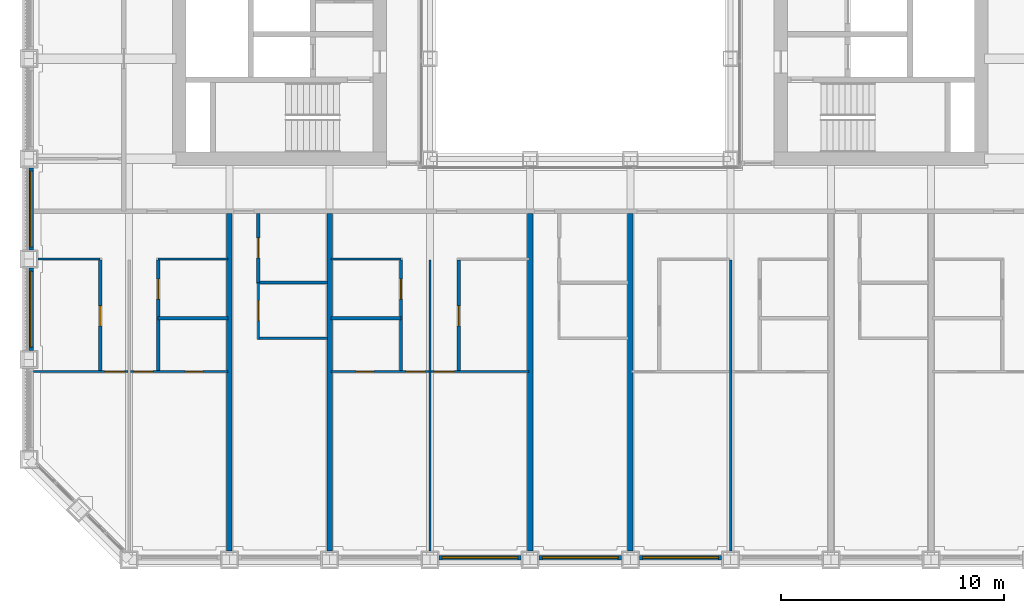
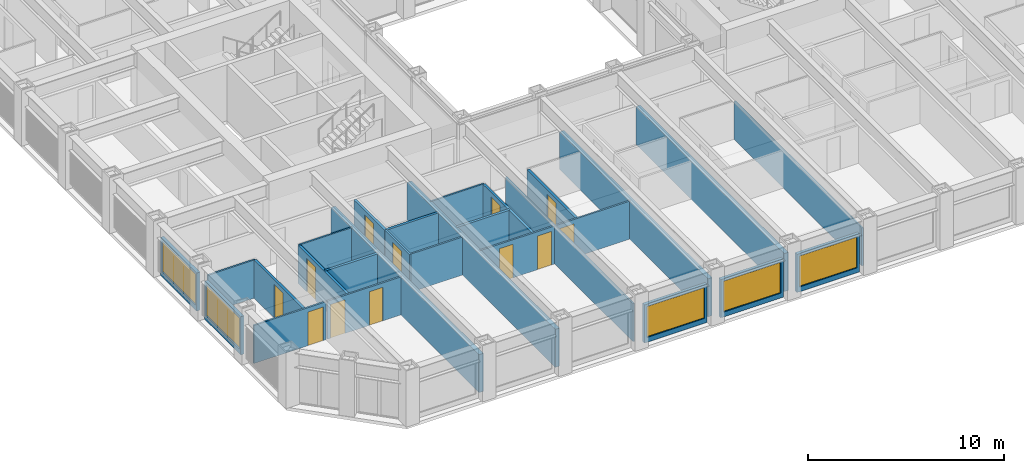
# One storey, part 9 of 21: 28 walls, 12 doors, 5 windows, 17 openings.
"""IFC4 building model written with IfcOpenShell, lengths in metres."""

from ifc_helpers import new_model, si_unit, direction, frame, frame_2d, origin, place, context, subcontext, project, spatial, rectangle, extrude, material, layer, layer_set, type_object, element, fill, save


model = new_model("IFC4")

# Units and contexts
model_context = context("Model", 3, precision=1e-05, world=origin(), true_north=direction((0.0, 1.0)))
body_context = subcontext(model_context, "Body", "Model", "MODEL_VIEW")
ifc_project = project(units=[si_unit("LENGTHUNIT", "METRE"), si_unit("AREAUNIT", "SQUARE_METRE"), si_unit("VOLUMEUNIT", "CUBIC_METRE"), si_unit("PLANEANGLEUNIT", "RADIAN"), si_unit("MASSUNIT", "GRAM", prefix="KILO")], contexts=[model_context])

# Site, building, storey
site_placement = place(None, origin())
site = spatial("IfcSite", under=ifc_project, at=site_placement, CompositionType="ELEMENT")
building_placement = place(site_placement, origin())
building = spatial("IfcBuilding", under=site, at=building_placement, Name="Msasa Ring Tower", CompositionType="ELEMENT")
storey_placement = place(building_placement, frame((0.0, 0.0, 40.5)))
storey = spatial("IfcBuildingStorey", under=building, at=storey_placement, Name="L09", CompositionType="ELEMENT", Elevation=40.5)

# Wall, opening, window
ifc_material_1 = material(Name="Terracotta rainscreen on blockwork", Category="masonry")
ifc_layer_1 = layer(ifc_material_1, 0.199951171875)
ifc_layer_set_1 = layer_set([ifc_layer_1], Name="FW1 TERRACOTTA-LINED INFILL BAY WALL 200")
wall_type_1 = type_object("IfcWallType", Name="FW1 TERRACOTTA-LINED INFILL BAY WALL 200", PredefinedType="SOLIDWALL", material=ifc_layer_set_1)
wall_1_placement = place(storey_placement, frame((-6.344970703125, -24.64990234375, 0.0), z_axis=(0.0, 0.0, 1.0), x_axis=(1.0, 0.0, 0.0)))
wall_1 = element("IfcWall", 1, at=wall_1_placement, inside=storey, type_object=wall_type_1, Name="Infill bay wall S L09 03", PredefinedType="SOLIDWALL", context=body_context, shape_type="SweptSolid", body=[
    extrude(rectangle(XDim=3.68994140625, YDim=0.199951171875, at=frame_2d((1.844970703125, 0.0))), origin(), (0.0, 0.0, 1.0), 2.37890625),
])
opening_1_placement = place(wall_1_placement, frame((0.14501953125, 0.0, 0.300048828125)))
opening_1 = element("IfcOpeningElement", 2, at=opening_1_placement, cuts=wall_1, Name="Opening WN1", PredefinedType="OPENING", context=body_context, shape_type="SweptSolid", body=[
    extrude(rectangle(XDim=3.39990234375, YDim=1.928955078125, at=frame_2d((1.699951171875, 0.96435546875))), frame((0.0, 0.10986328125, 0.0), z_axis=(0.0, -1.0, 0.0), x_axis=(1.0, 0.0, 0.0)), (0.0, 0.0, 1.0), 0.219970703125),
])
ifc_material_2 = material(Name="Aluminium frame with clear glass", Category="aluminium")
window_type = type_object("IfcWindowType", Name="WN1 RESIDENCE WINDOW 3400x1929", PartitioningType="SINGLE_PANEL", PredefinedType="WINDOW", material=ifc_material_2)
window_1_placement = place(opening_1_placement, origin())
window_1 = element("IfcWindow", 3, at=window_1_placement, inside=storey, type_object=window_type, Name="Window S L09 03", OverallHeight=1.928955078125, OverallWidth=3.39990234375, PartitioningType="SINGLE_PANEL", PredefinedType="WINDOW", context=body_context, shape_type="SweptSolid", body=[
    extrude(rectangle(XDim=3.39990234375, YDim=1.928955078125, at=frame_2d((1.699951171875, 0.96435546875))), frame((0.0, 0.030029296875, 0.0), z_axis=(0.0, -1.0, 0.0), x_axis=(1.0, 0.0, 0.0)), (0.0, 0.0, 1.0), 0.06005859375),
])
fill(opening_1, window_1)

wall_2_placement = place(storey_placement, frame((-1.844970703125, -24.64990234375, 0.0), z_axis=(0.0, 0.0, 1.0), x_axis=(1.0, 0.0, 0.0)))
wall_2 = element("IfcWall", 4, at=wall_2_placement, inside=storey, type_object=wall_type_1, Name="Infill bay wall S L09 04", PredefinedType="SOLIDWALL", context=body_context, shape_type="SweptSolid", body=[
    extrude(rectangle(XDim=3.68994140625, YDim=0.199951171875, at=frame_2d((1.844970703125, 0.0))), origin(), (0.0, 0.0, 1.0), 2.37890625),
])
opening_2_placement = place(wall_2_placement, frame((0.14501953125, 0.0, 0.300048828125)))
opening_2 = element("IfcOpeningElement", 5, at=opening_2_placement, cuts=wall_2, Name="Opening WN1", PredefinedType="OPENING", context=body_context, shape_type="SweptSolid", body=[
    extrude(rectangle(XDim=3.39990234375, YDim=1.928955078125, at=frame_2d((1.699951171875, 0.96435546875))), frame((0.0, 0.10986328125, 0.0), z_axis=(0.0, -1.0, 0.0), x_axis=(1.0, 0.0, 0.0)), (0.0, 0.0, 1.0), 0.219970703125),
])
window_2_placement = place(opening_2_placement, origin())
window_2 = element("IfcWindow", 6, at=window_2_placement, inside=storey, type_object=window_type, Name="Window S L09 04", OverallHeight=1.928955078125, OverallWidth=3.39990234375, PartitioningType="SINGLE_PANEL", PredefinedType="WINDOW", context=body_context, shape_type="SweptSolid", body=[
    extrude(rectangle(XDim=3.39990234375, YDim=1.928955078125, at=frame_2d((1.699951171875, 0.96435546875))), frame((0.0, 0.030029296875, 0.0), z_axis=(0.0, -1.0, 0.0), x_axis=(1.0, 0.0, 0.0)), (0.0, 0.0, 1.0), 0.06005859375),
])
fill(opening_2, window_2)

wall_3_placement = place(storey_placement, frame((2.655029296875, -24.64990234375, 0.0), z_axis=(0.0, 0.0, 1.0), x_axis=(1.0, 0.0, 0.0)))
wall_3 = element("IfcWall", 7, at=wall_3_placement, inside=storey, type_object=wall_type_1, Name="Infill bay wall S L09 05", PredefinedType="SOLIDWALL", context=body_context, shape_type="SweptSolid", body=[
    extrude(rectangle(XDim=3.68994140625, YDim=0.199951171875, at=frame_2d((1.844970703125, 0.0))), origin(), (0.0, 0.0, 1.0), 2.37890625),
])
opening_3_placement = place(wall_3_placement, frame((0.14501953125, 0.0, 0.300048828125)))
opening_3 = element("IfcOpeningElement", 8, at=opening_3_placement, cuts=wall_3, Name="Opening WN1", PredefinedType="OPENING", context=body_context, shape_type="SweptSolid", body=[
    extrude(rectangle(XDim=3.39990234375, YDim=1.928955078125, at=frame_2d((1.699951171875, 0.96435546875))), frame((0.0, 0.10986328125, 0.0), z_axis=(0.0, -1.0, 0.0), x_axis=(1.0, 0.0, 0.0)), (0.0, 0.0, 1.0), 0.219970703125),
])
window_3_placement = place(opening_3_placement, origin())
window_3 = element("IfcWindow", 9, at=window_3_placement, inside=storey, type_object=window_type, Name="Window S L09 05", OverallHeight=1.928955078125, OverallWidth=3.39990234375, PartitioningType="SINGLE_PANEL", PredefinedType="WINDOW", context=body_context, shape_type="SweptSolid", body=[
    extrude(rectangle(XDim=3.39990234375, YDim=1.928955078125, at=frame_2d((1.699951171875, 0.96435546875))), frame((0.0, 0.030029296875, 0.0), z_axis=(0.0, -1.0, 0.0), x_axis=(1.0, 0.0, 0.0)), (0.0, 0.0, 1.0), 0.06005859375),
])
fill(opening_3, window_3)

wall_4_placement = place(storey_placement, frame((-24.64990234375, -15.344970703125, 0.0), z_axis=(0.0, 0.0, 1.0), x_axis=(0.0, 1.0, 0.0)))
wall_4 = element("IfcWall", 10, at=wall_4_placement, inside=storey, type_object=wall_type_1, Name="Infill bay wall W L09 34", PredefinedType="SOLIDWALL", context=body_context, shape_type="SweptSolid", body=[
    extrude(rectangle(XDim=3.68994140625, YDim=0.199951171875, at=frame_2d((1.844970703125, 0.0))), origin(), (0.0, 0.0, 1.0), 2.37890625),
])
opening_4_placement = place(wall_4_placement, frame((0.14501953125, 0.0, 0.300048828125)))
opening_4 = element("IfcOpeningElement", 11, at=opening_4_placement, cuts=wall_4, Name="Opening WN1", PredefinedType="OPENING", context=body_context, shape_type="SweptSolid", body=[
    extrude(rectangle(XDim=3.39990234375, YDim=1.928955078125, at=frame_2d((1.699951171875, 0.96435546875))), frame((0.0, 0.10986328125, 0.0), z_axis=(0.0, -1.0, 0.0), x_axis=(1.0, 0.0, 0.0)), (0.0, 0.0, 1.0), 0.219970703125),
])
window_4_placement = place(opening_4_placement, origin())
window_4 = element("IfcWindow", 12, at=window_4_placement, inside=storey, type_object=window_type, Name="Window W L09 34", OverallHeight=1.928955078125, OverallWidth=3.39990234375, PartitioningType="SINGLE_PANEL", PredefinedType="WINDOW", context=body_context, shape_type="SweptSolid", body=[
    extrude(rectangle(XDim=3.39990234375, YDim=1.928955078125, at=frame_2d((1.699951171875, 0.96435546875))), frame((0.0, 0.030029296875, 0.0), z_axis=(0.0, -1.0, 0.0), x_axis=(1.0, 0.0, 0.0)), (0.0, 0.0, 1.0), 0.06005859375),
])
fill(opening_4, window_4)

wall_5_placement = place(storey_placement, frame((-24.64990234375, -10.844970703125, 0.0), z_axis=(0.0, 0.0, 1.0), x_axis=(0.0, 1.0, 0.0)))
wall_5 = element("IfcWall", 13, at=wall_5_placement, inside=storey, type_object=wall_type_1, Name="Infill bay wall W L09 35", PredefinedType="SOLIDWALL", context=body_context, shape_type="SweptSolid", body=[
    extrude(rectangle(XDim=3.68994140625, YDim=0.199951171875, at=frame_2d((1.844970703125, 0.0))), origin(), (0.0, 0.0, 1.0), 2.37890625),
])
opening_5_placement = place(wall_5_placement, frame((0.14501953125, 0.0, 0.300048828125)))
opening_5 = element("IfcOpeningElement", 14, at=opening_5_placement, cuts=wall_5, Name="Opening WN1", PredefinedType="OPENING", context=body_context, shape_type="SweptSolid", body=[
    extrude(rectangle(XDim=3.39990234375, YDim=1.928955078125, at=frame_2d((1.699951171875, 0.96435546875))), frame((0.0, 0.10986328125, 0.0), z_axis=(0.0, -1.0, 0.0), x_axis=(1.0, 0.0, 0.0)), (0.0, 0.0, 1.0), 0.219970703125),
])
window_5_placement = place(opening_5_placement, origin())
window_5 = element("IfcWindow", 15, at=window_5_placement, inside=storey, type_object=window_type, Name="Window W L09 35", OverallHeight=1.928955078125, OverallWidth=3.39990234375, PartitioningType="SINGLE_PANEL", PredefinedType="WINDOW", context=body_context, shape_type="SweptSolid", body=[
    extrude(rectangle(XDim=3.39990234375, YDim=1.928955078125, at=frame_2d((1.699951171875, 0.96435546875))), frame((0.0, 0.030029296875, 0.0), z_axis=(0.0, -1.0, 0.0), x_axis=(1.0, 0.0, 0.0)), (0.0, 0.0, 1.0), 0.06005859375),
])
fill(opening_5, window_5)

# Wall
ifc_material_3 = material(Name="Gypsum board on steel studs", Category="steel")
ifc_layer_2 = layer(ifc_material_3, 0.10009765625)
ifc_layer_set_2 = layer_set([ifc_layer_2], Name="PT2 STUD PARTITION 100")
wall_type_2 = type_object("IfcWallType", Name="PT2 STUD PARTITION 100", PredefinedType="PARTITIONING", material=ifc_layer_set_2)
wall_6_placement = place(storey_placement, frame((-24.35009765625, -11.25, 0.0), z_axis=(0.0, 0.0, 1.0), x_axis=(1.0, 0.0, 0.0)))
element("IfcWall", 16, at=wall_6_placement, inside=storey, type_object=wall_type_2, Name="Partition L09-US00HY0", PredefinedType="PARTITIONING", context=body_context, shape_type="SweptSolid", body=[
    extrude(rectangle(XDim=2.800048828125, YDim=0.10009765625, at=frame_2d((1.39990234375, 0.0))), origin(), (0.0, 0.0, 1.0), 2.373291015625),
])

# Wall, opening, door
wall_7_placement = place(storey_placement, frame((-24.550048828125, -16.300048828125, 0.0), z_axis=(0.0, 0.0, 1.0), x_axis=(1.0, 0.0, 0.0)))
wall_7 = element("IfcWall", 17, at=wall_7_placement, inside=storey, type_object=wall_type_2, Name="Partition L09-US00SY0", PredefinedType="PARTITIONING", context=body_context, shape_type="SweptSolid", body=[
    extrude(rectangle(XDim=4.25, YDim=0.10009765625, at=frame_2d((2.125, 0.0))), origin(), (0.0, 0.0, 1.0), 2.373291015625),
])
opening_6_placement = place(wall_7_placement, frame((3.199951171875, 0.0, 0.0)))
opening_6 = element("IfcOpeningElement", 18, at=opening_6_placement, cuts=wall_7, Name="Opening RB-074", PredefinedType="OPENING", context=body_context, shape_type="SweptSolid", body=[
    extrude(rectangle(XDim=0.89990234375, YDim=2.10009765625, at=frame_2d((0.449951171875, 1.050048828125))), frame((0.0, 0.06005859375, 0.0), z_axis=(0.0, -1.0, 0.0), x_axis=(1.0, 0.0, 0.0)), (0.0, 0.0, 1.0), 0.1201171875),
])
ifc_material_4 = material(Name="Timber door leaf in a steel frame", Category="steel")
door_type_1 = type_object("IfcDoorType", Name="D22 INTERNAL HALL DOOR 900x2100", OperationType="SINGLE_SWING_LEFT", PredefinedType="DOOR", material=ifc_material_4)
door_1_placement = place(opening_6_placement, origin())
door_1 = element("IfcDoor", 19, at=door_1_placement, inside=storey, type_object=door_type_1, Name="Door L09-US00L", OperationType="SINGLE_SWING_RIGHT", OverallHeight=2.10009765625, OverallWidth=0.89990234375, PredefinedType="DOOR", context=body_context, shape_type="SweptSolid", body=[
    extrude(rectangle(XDim=0.89990234375, YDim=2.10009765625, at=frame_2d((0.449951171875, 1.050048828125))), frame((0.0, 0.02490234375, 0.0), z_axis=(0.0, -1.0, 0.0), x_axis=(1.0, 0.0, 0.0)), (0.0, 0.0, 1.0), 0.050048828125),
])
fill(opening_6, door_1)

# Wall
wall_8_placement = place(storey_placement, frame((-18.949951171875, -11.25, 0.0), z_axis=(0.0, 0.0, 1.0), x_axis=(1.0, 0.0, 0.0)))
element("IfcWall", 20, at=wall_8_placement, inside=storey, type_object=wall_type_2, Name="Partition L09-US00HY1", PredefinedType="PARTITIONING", context=body_context, shape_type="SweptSolid", body=[
    extrude(rectangle(XDim=3.139892578125, YDim=0.10009765625, at=frame_2d((1.56982421875, 0.0))), origin(), (0.0, 0.0, 1.0), 2.373291015625),
])

# Wall, openings, doors
wall_9_placement = place(storey_placement, frame((-20.199951171875, -16.300048828125, 0.0), z_axis=(0.0, 0.0, 1.0), x_axis=(1.0, 0.0, 0.0)))
wall_9 = element("IfcWall", 21, at=wall_9_placement, inside=storey, type_object=wall_type_2, Name="Partition L09-US00SY1", PredefinedType="PARTITIONING", context=body_context, shape_type="SweptSolid", body=[
    extrude(rectangle(XDim=4.389892578125, YDim=0.10009765625, at=frame_2d((2.19482421875, 0.0))), origin(), (0.0, 0.0, 1.0), 2.373291015625),
])
opening_7_placement = place(wall_9_placement, frame((0.175048828125, 0.0, 0.0)))
opening_7 = element("IfcOpeningElement", 22, at=opening_7_placement, cuts=wall_9, Name="Opening RB-075", PredefinedType="OPENING", context=body_context, shape_type="SweptSolid", body=[
    extrude(rectangle(XDim=0.85009765625, YDim=2.10009765625, at=frame_2d((0.425048828125, 1.050048828125))), frame((0.0, 0.06005859375, 0.0), z_axis=(0.0, -1.0, 0.0), x_axis=(1.0, 0.0, 0.0)), (0.0, 0.0, 1.0), 0.1201171875),
])
opening_8_placement = place(wall_9_placement, frame((2.4599609375, 0.0, 0.0)))
opening_8 = element("IfcOpeningElement", 23, at=opening_8_placement, cuts=wall_9, Name="Opening RB-076", PredefinedType="OPENING", context=body_context, shape_type="SweptSolid", body=[
    extrude(rectangle(XDim=0.800048828125, YDim=2.10009765625, at=frame_2d((0.39990234375, 1.050048828125))), frame((0.0, 0.06005859375, 0.0), z_axis=(0.0, -1.0, 0.0), x_axis=(1.0, 0.0, 0.0)), (0.0, 0.0, 1.0), 0.1201171875),
])
ifc_material_5 = material(Name="Timber door leaf in a steel frame", Category="steel")
door_type_2 = type_object("IfcDoorType", Name="D14 BEDROOM DOOR 850x2100", OperationType="SINGLE_SWING_LEFT", PredefinedType="DOOR", material=ifc_material_5)
door_2_placement = place(opening_7_placement, origin())
door_2 = element("IfcDoor", 24, at=door_2_placement, inside=storey, type_object=door_type_2, Name="Door L09-US00R1", OperationType="SINGLE_SWING_LEFT", OverallHeight=2.10009765625, OverallWidth=0.85009765625, PredefinedType="DOOR", context=body_context, shape_type="SweptSolid", body=[
    extrude(rectangle(XDim=0.85009765625, YDim=2.10009765625, at=frame_2d((0.425048828125, 1.050048828125))), frame((0.0, 0.02490234375, 0.0), z_axis=(0.0, -1.0, 0.0), x_axis=(1.0, 0.0, 0.0)), (0.0, 0.0, 1.0), 0.050048828125),
])
fill(opening_7, door_2)
ifc_material_6 = material(Name="Timber door leaf in a steel frame", Category="steel")
door_type_3 = type_object("IfcDoorType", Name="D60 DRESSING ROOM DOOR 800x2100", OperationType="SINGLE_SWING_LEFT", PredefinedType="DOOR", material=ifc_material_6)
door_3_placement = place(opening_8_placement, origin())
door_3 = element("IfcDoor", 25, at=door_3_placement, inside=storey, type_object=door_type_3, Name="Door L09-US00W1", OperationType="SINGLE_SWING_RIGHT", OverallHeight=2.10009765625, OverallWidth=0.800048828125, PredefinedType="DOOR", context=body_context, shape_type="SweptSolid", body=[
    extrude(rectangle(XDim=0.800048828125, YDim=2.10009765625, at=frame_2d((0.39990234375, 1.050048828125))), frame((0.0, 0.02490234375, 0.0), z_axis=(0.0, -1.0, 0.0), x_axis=(1.0, 0.0, 0.0)), (0.0, 0.0, 1.0), 0.050048828125),
])
fill(opening_8, door_3)

# Wall
wall_10_placement = place(storey_placement, frame((-14.39990234375, -14.800048828125, 0.0), z_axis=(0.0, 0.0, 1.0), x_axis=(1.0, 0.0, 0.0)))
element("IfcWall", 26, at=wall_10_placement, inside=storey, type_object=wall_type_2, Name="Partition L09-US01KY", PredefinedType="PARTITIONING", context=body_context, shape_type="SweptSolid", body=[
    extrude(rectangle(XDim=3.0498046875, YDim=0.10009765625, at=frame_2d((1.52490234375, 0.0))), origin(), (0.0, 0.0, 1.0), 2.373291015625),
])

# Wall, opening, door
wall_11_placement = place(storey_placement, frame((-14.449951171875, -14.85009765625, 0.0), z_axis=(0.0, 0.0, 1.0), x_axis=(0.0, 1.0, 0.0)))
wall_11 = element("IfcWall", 27, at=wall_11_placement, inside=storey, type_object=wall_type_2, Name="Partition L09-US01KX", PredefinedType="PARTITIONING", context=body_context, shape_type="SweptSolid", body=[
    extrude(rectangle(XDim=2.550048828125, YDim=0.10009765625, at=frame_2d((1.27490234375, 0.0))), origin(), (0.0, 0.0, 1.0), 2.373291015625),
])
opening_9_placement = place(wall_11_placement, frame((0.840087890625, 0.0, 0.0)))
opening_9 = element("IfcOpeningElement", 28, at=opening_9_placement, cuts=wall_11, Name="Opening RB-067", PredefinedType="OPENING", context=body_context, shape_type="SweptSolid", body=[
    extrude(rectangle(XDim=0.89990234375, YDim=2.10009765625, at=frame_2d((0.449951171875, 1.050048828125))), frame((0.0, 0.06005859375, 0.0), z_axis=(0.0, -1.0, 0.0), x_axis=(1.0, 0.0, 0.0)), (0.0, 0.0, 1.0), 0.1201171875),
])
door_4_placement = place(opening_9_placement, origin())
door_4 = element("IfcDoor", 29, at=door_4_placement, inside=storey, type_object=door_type_1, Name="Door L09-US01K", OperationType="SINGLE_SWING_LEFT", OverallHeight=2.10009765625, OverallWidth=0.89990234375, PredefinedType="DOOR", context=body_context, shape_type="SweptSolid", body=[
    extrude(rectangle(XDim=0.89990234375, YDim=2.10009765625, at=frame_2d((0.449951171875, 1.050048828125))), frame((0.0, 0.02490234375, 0.0), z_axis=(0.0, -1.0, 0.0), x_axis=(1.0, 0.0, 0.0)), (0.0, 0.0, 1.0), 0.050048828125),
])
fill(opening_9, door_4)

wall_12_placement = place(storey_placement, frame((-6.699951171875, -16.300048828125, 0.0), z_axis=(0.0, 0.0, 1.0), x_axis=(1.0, 0.0, 0.0)))
wall_12 = element("IfcWall", 30, at=wall_12_placement, inside=storey, type_object=wall_type_2, Name="Partition L09-US02SY0", PredefinedType="PARTITIONING", context=body_context, shape_type="SweptSolid", body=[
    extrude(rectangle(XDim=4.389892578125, YDim=0.10009765625, at=frame_2d((2.19482421875, 0.0))), origin(), (0.0, 0.0, 1.0), 2.373291015625),
])
opening_10_placement = place(wall_12_placement, frame((0.14990234375, 0.0, 0.0)))
opening_10 = element("IfcOpeningElement", 31, at=opening_10_placement, cuts=wall_12, Name="Opening RB-079", PredefinedType="OPENING", context=body_context, shape_type="SweptSolid", body=[
    extrude(rectangle(XDim=0.89990234375, YDim=2.10009765625, at=frame_2d((0.449951171875, 1.050048828125))), frame((0.0, 0.06005859375, 0.0), z_axis=(0.0, -1.0, 0.0), x_axis=(1.0, 0.0, 0.0)), (0.0, 0.0, 1.0), 0.1201171875),
])
door_5_placement = place(opening_10_placement, origin())
door_5 = element("IfcDoor", 32, at=door_5_placement, inside=storey, type_object=door_type_1, Name="Door L09-US02L", OperationType="SINGLE_SWING_LEFT", OverallHeight=2.10009765625, OverallWidth=0.89990234375, PredefinedType="DOOR", context=body_context, shape_type="SweptSolid", body=[
    extrude(rectangle(XDim=0.89990234375, YDim=2.10009765625, at=frame_2d((0.449951171875, 1.050048828125))), frame((0.0, 0.02490234375, 0.0), z_axis=(0.0, -1.0, 0.0), x_axis=(1.0, 0.0, 0.0)), (0.0, 0.0, 1.0), 0.050048828125),
])
fill(opening_10, door_5)

# Walls
wall_13_placement = place(storey_placement, frame((-6.75, -24.35009765625, 0.0), z_axis=(0.0, 0.0, 1.0), x_axis=(0.0, 1.0, 0.0)))
element("IfcWall", 33, at=wall_13_placement, inside=storey, type_object=wall_type_2, Name="Partition L09-US02P1", PredefinedType="PARTITIONING", context=body_context, shape_type="SweptSolid", body=[
    extrude(rectangle(XDim=13.050048828125, YDim=0.10009765625, at=frame_2d((6.52490234375, 0.0))), origin(), (0.0, 0.0, 1.0), 2.373291015625),
])
wall_14_placement = place(storey_placement, frame((-11.18994140625, -11.25, 0.0), z_axis=(0.0, 0.0, 1.0), x_axis=(1.0, 0.0, 0.0)))
element("IfcWall", 34, at=wall_14_placement, inside=storey, type_object=wall_type_2, Name="Partition L09-US02HY1", PredefinedType="PARTITIONING", context=body_context, shape_type="SweptSolid", body=[
    extrude(rectangle(XDim=3.139892578125, YDim=0.10009765625, at=frame_2d((1.56982421875, 0.0))), origin(), (0.0, 0.0, 1.0), 2.373291015625),
])

# Wall, openings, doors
wall_15_placement = place(storey_placement, frame((-11.18994140625, -16.300048828125, 0.0), z_axis=(0.0, 0.0, 1.0), x_axis=(1.0, 0.0, 0.0)))
wall_15 = element("IfcWall", 35, at=wall_15_placement, inside=storey, type_object=wall_type_2, Name="Partition L09-US02SY1", PredefinedType="PARTITIONING", context=body_context, shape_type="SweptSolid", body=[
    extrude(rectangle(XDim=4.389892578125, YDim=0.10009765625, at=frame_2d((2.19482421875, 0.0))), origin(), (0.0, 0.0, 1.0), 2.373291015625),
])
opening_11_placement = place(wall_15_placement, frame((3.364990234375, 0.0, 0.0)))
opening_11 = element("IfcOpeningElement", 36, at=opening_11_placement, cuts=wall_15, Name="Opening RB-078", PredefinedType="OPENING", context=body_context, shape_type="SweptSolid", body=[
    extrude(rectangle(XDim=0.85009765625, YDim=2.10009765625, at=frame_2d((0.425048828125, 1.050048828125))), frame((0.0, 0.06005859375, 0.0), z_axis=(0.0, -1.0, 0.0), x_axis=(1.0, 0.0, 0.0)), (0.0, 0.0, 1.0), 0.1201171875),
])
opening_12_placement = place(wall_15_placement, frame((1.1298828125, 0.0, 0.0)))
opening_12 = element("IfcOpeningElement", 37, at=opening_12_placement, cuts=wall_15, Name="Opening RB-077", PredefinedType="OPENING", context=body_context, shape_type="SweptSolid", body=[
    extrude(rectangle(XDim=0.800048828125, YDim=2.10009765625, at=frame_2d((0.39990234375, 1.050048828125))), frame((0.0, 0.06005859375, 0.0), z_axis=(0.0, -1.0, 0.0), x_axis=(1.0, 0.0, 0.0)), (0.0, 0.0, 1.0), 0.1201171875),
])
door_6_placement = place(opening_11_placement, origin())
door_6 = element("IfcDoor", 38, at=door_6_placement, inside=storey, type_object=door_type_2, Name="Door L09-US02R1", OperationType="SINGLE_SWING_RIGHT", OverallHeight=2.10009765625, OverallWidth=0.85009765625, PredefinedType="DOOR", context=body_context, shape_type="SweptSolid", body=[
    extrude(rectangle(XDim=0.85009765625, YDim=2.10009765625, at=frame_2d((0.425048828125, 1.050048828125))), frame((0.0, 0.02490234375, 0.0), z_axis=(0.0, -1.0, 0.0), x_axis=(1.0, 0.0, 0.0)), (0.0, 0.0, 1.0), 0.050048828125),
])
fill(opening_11, door_6)
door_7_placement = place(opening_12_placement, origin())
door_7 = element("IfcDoor", 39, at=door_7_placement, inside=storey, type_object=door_type_3, Name="Door L09-US02W1", OperationType="SINGLE_SWING_LEFT", OverallHeight=2.10009765625, OverallWidth=0.800048828125, PredefinedType="DOOR", context=body_context, shape_type="SweptSolid", body=[
    extrude(rectangle(XDim=0.800048828125, YDim=2.10009765625, at=frame_2d((0.39990234375, 1.050048828125))), frame((0.0, 0.02490234375, 0.0), z_axis=(0.0, -1.0, 0.0), x_axis=(1.0, 0.0, 0.0)), (0.0, 0.0, 1.0), 0.050048828125),
])
fill(opening_12, door_7)

# Walls
wall_16_placement = place(storey_placement, frame((6.75, -24.35009765625, 0.0), z_axis=(0.0, 0.0, 1.0), x_axis=(0.0, 1.0, 0.0)))
element("IfcWall", 40, at=wall_16_placement, inside=storey, type_object=wall_type_2, Name="Partition L09-US04P1", PredefinedType="PARTITIONING", context=body_context, shape_type="SweptSolid", body=[
    extrude(rectangle(XDim=13.050048828125, YDim=0.10009765625, at=frame_2d((6.52490234375, 0.0))), origin(), (0.0, 0.0, 1.0), 2.373291015625),
])
ifc_material_7 = material(Name="Dense concrete blockwork, plastered both faces", Category="masonry")
ifc_layer_3 = layer(ifc_material_7, 0.25)
ifc_layer_set_3 = layer_set([ifc_layer_3], Name="PT3 APARTMENT SEPARATING WALL 250")
wall_type_3 = type_object("IfcWallType", Name="PT3 APARTMENT SEPARATING WALL 250", PredefinedType="PARTITIONING", material=ifc_layer_set_3)
for number, where, z_axis, x_axis, name in (
    (41, (-15.75, -24.35009765625, 0.0), (0.0, 0.0, 1.0), (0.0, 1.0, 0.0), "Party wall L09-PWS-15.75"),
    (42, (-11.25, -24.35009765625, 0.0), (0.0, 0.0, 1.0), (0.0, 1.0, 0.0), "Party wall L09-PWS-11.25"),
    (43, (-2.25, -24.35009765625, 0.0), (0.0, 0.0, 1.0), (0.0, 1.0, 0.0), "Party wall L09-PWS-2.25"),
    (44, (2.25, -24.35009765625, 0.0), (0.0, 0.0, 1.0), (0.0, 1.0, 0.0), "Party wall L09-PWS+2.25"),
):
    element("IfcWall", number, at=place(storey_placement, frame(where, z_axis=z_axis, x_axis=x_axis)), inside=storey, type_object=wall_type_3, Name=name, PredefinedType="PARTITIONING", context=body_context, shape_type="SweptSolid", body=[
        extrude(rectangle(XDim=15.150146484375, YDim=0.25, at=frame_2d((7.5751953125, 0.0))), origin(), (0.0, 0.0, 1.0), 2.373291015625),
    ])

# Wall, opening, door
ifc_material_8 = material(Name="Moisture-resistant board on steel studs with a concealed cistern and pipe void, tiled", Category="steel")
ifc_layer_4 = layer(ifc_material_8, 0.14990234375)
ifc_layer_set_4 = layer_set([ifc_layer_4], Name="PT4 BATHROOM WET WALL 150")
wall_type_4 = type_object("IfcWallType", Name="PT4 BATHROOM WET WALL 150", PredefinedType="PARTITIONING", material=ifc_layer_set_4)
wall_17_placement = place(storey_placement, frame((-21.550048828125, -16.300048828125, 0.0), z_axis=(0.0, 0.0, 1.0), x_axis=(0.0, 1.0, 0.0)))
wall_17 = element("IfcWall", 45, at=wall_17_placement, inside=storey, type_object=wall_type_4, Name="Partition L09-US00SX0", PredefinedType="PARTITIONING", context=body_context, shape_type="SweptSolid", body=[
    extrude(rectangle(XDim=5.0, YDim=0.14990234375, at=frame_2d((2.5, 0.0))), origin(), (0.0, 0.0, 1.0), 2.373291015625),
])
opening_13_placement = place(wall_17_placement, frame((2.050048828125, 0.0, 0.0)))
opening_13 = element("IfcOpeningElement", 46, at=opening_13_placement, cuts=wall_17, Name="Opening RB-070", PredefinedType="OPENING", context=body_context, shape_type="SweptSolid", body=[
    extrude(rectangle(XDim=0.89990234375, YDim=2.10009765625, at=frame_2d((0.449951171875, 1.050048828125))), frame((0.0, 0.0849609375, 0.0), z_axis=(0.0, -1.0, 0.0), x_axis=(1.0, 0.0, 0.0)), (0.0, 0.0, 1.0), 0.169921875),
])
door_8_placement = place(opening_13_placement, origin())
door_8 = element("IfcDoor", 47, at=door_8_placement, inside=storey, type_object=door_type_1, Name="Door L09-US00K", OperationType="SINGLE_SWING_LEFT", OverallHeight=2.10009765625, OverallWidth=0.89990234375, PredefinedType="DOOR", context=body_context, shape_type="SweptSolid", body=[
    extrude(rectangle(XDim=0.89990234375, YDim=2.10009765625, at=frame_2d((0.449951171875, 1.050048828125))), frame((0.0, 0.02490234375, 0.0), z_axis=(0.0, -1.0, 0.0), x_axis=(1.0, 0.0, 0.0)), (0.0, 0.0, 1.0), 0.050048828125),
])
fill(opening_13, door_8)

wall_18_placement = place(storey_placement, frame((-18.949951171875, -16.300048828125, 0.0), z_axis=(0.0, 0.0, 1.0), x_axis=(0.0, 1.0, 0.0)))
wall_18 = element("IfcWall", 48, at=wall_18_placement, inside=storey, type_object=wall_type_4, Name="Partition L09-US00SX1", PredefinedType="PARTITIONING", context=body_context, shape_type="SweptSolid", body=[
    extrude(rectangle(XDim=5.0, YDim=0.14990234375, at=frame_2d((2.5, 0.0))), origin(), (0.0, 0.0, 1.0), 2.373291015625),
])
opening_14_placement = place(wall_18_placement, frame((3.25, 0.0, 0.0)))
opening_14 = element("IfcOpeningElement", 49, at=opening_14_placement, cuts=wall_18, Name="Opening RB-063", PredefinedType="OPENING", context=body_context, shape_type="SweptSolid", body=[
    extrude(rectangle(XDim=0.89990234375, YDim=2.10009765625, at=frame_2d((0.449951171875, 1.050048828125))), frame((0.0, 0.0849609375, 0.0), z_axis=(0.0, -1.0, 0.0), x_axis=(1.0, 0.0, 0.0)), (0.0, 0.0, 1.0), 0.169921875),
])
ifc_material_9 = material(Name="Timber door leaf in a steel frame", Category="steel")
door_type_4 = type_object("IfcDoorType", Name="D3 BATHROOM DOOR 900x2100", OperationType="SINGLE_SWING_LEFT", PredefinedType="DOOR", material=ifc_material_9)
door_9_placement = place(opening_14_placement, origin())
door_9 = element("IfcDoor", 50, at=door_9_placement, inside=storey, type_object=door_type_4, Name="Door L09-US00B1", OperationType="SINGLE_SWING_RIGHT", OverallHeight=2.10009765625, OverallWidth=0.89990234375, PredefinedType="DOOR", context=body_context, shape_type="SweptSolid", body=[
    extrude(rectangle(XDim=0.89990234375, YDim=2.10009765625, at=frame_2d((0.449951171875, 1.050048828125))), frame((0.0, 0.02490234375, 0.0), z_axis=(0.0, -1.0, 0.0), x_axis=(1.0, 0.0, 0.0)), (0.0, 0.0, 1.0), 0.050048828125),
])
fill(opening_14, door_9)

# Wall
wall_19_placement = place(storey_placement, frame((-18.949951171875, -13.89990234375, 0.0), z_axis=(0.0, 0.0, 1.0), x_axis=(1.0, 0.0, 0.0)))
element("IfcWall", 51, at=wall_19_placement, inside=storey, type_object=wall_type_4, Name="Partition L09-US00SB1", PredefinedType="PARTITIONING", context=body_context, shape_type="SweptSolid", body=[
    extrude(rectangle(XDim=3.139892578125, YDim=0.14990234375, at=frame_2d((1.56982421875, 0.0))), origin(), (0.0, 0.0, 1.0), 2.373291015625),
])

# Wall, opening, door
wall_20_placement = place(storey_placement, frame((-14.449951171875, -12.35009765625, 0.0), z_axis=(0.0, 0.0, 1.0), x_axis=(0.0, 1.0, 0.0)))
wall_20 = element("IfcWall", 52, at=wall_20_placement, inside=storey, type_object=wall_type_4, Name="Partition L09-US01BX", PredefinedType="PARTITIONING", context=body_context, shape_type="SweptSolid", body=[
    extrude(rectangle(XDim=3.150146484375, YDim=0.14990234375, at=frame_2d((1.5751953125, 0.0))), origin(), (0.0, 0.0, 1.0), 2.373291015625),
])
opening_15_placement = place(wall_20_placement, frame((1.14990234375, 0.0, 0.0)))
opening_15 = element("IfcOpeningElement", 53, at=opening_15_placement, cuts=wall_20, Name="Opening RB-060", PredefinedType="OPENING", context=body_context, shape_type="SweptSolid", body=[
    extrude(rectangle(XDim=0.89990234375, YDim=2.10009765625, at=frame_2d((0.449951171875, 1.050048828125))), frame((0.0, 0.0849609375, 0.0), z_axis=(0.0, -1.0, 0.0), x_axis=(1.0, 0.0, 0.0)), (0.0, 0.0, 1.0), 0.169921875),
])
door_10_placement = place(opening_15_placement, origin())
door_10 = element("IfcDoor", 54, at=door_10_placement, inside=storey, type_object=door_type_4, Name="Door L09-US01B", OperationType="SINGLE_SWING_LEFT", OverallHeight=2.10009765625, OverallWidth=0.89990234375, PredefinedType="DOOR", context=body_context, shape_type="SweptSolid", body=[
    extrude(rectangle(XDim=0.89990234375, YDim=2.10009765625, at=frame_2d((0.449951171875, 1.050048828125))), frame((0.0, 0.02490234375, 0.0), z_axis=(0.0, -1.0, 0.0), x_axis=(1.0, 0.0, 0.0)), (0.0, 0.0, 1.0), 0.050048828125),
])
fill(opening_15, door_10)

# Wall
wall_21_placement = place(storey_placement, frame((-14.39990234375, -12.300048828125, 0.0), z_axis=(0.0, 0.0, 1.0), x_axis=(1.0, 0.0, 0.0)))
element("IfcWall", 55, at=wall_21_placement, inside=storey, type_object=wall_type_4, Name="Partition L09-US01BY", PredefinedType="PARTITIONING", context=body_context, shape_type="SweptSolid", body=[
    extrude(rectangle(XDim=3.0498046875, YDim=0.14990234375, at=frame_2d((1.52490234375, 0.0))), origin(), (0.0, 0.0, 1.0), 2.373291015625),
])

# Wall, opening, door
wall_22_placement = place(storey_placement, frame((-5.449951171875, -16.300048828125, 0.0), z_axis=(0.0, 0.0, 1.0), x_axis=(0.0, 1.0, 0.0)))
wall_22 = element("IfcWall", 56, at=wall_22_placement, inside=storey, type_object=wall_type_4, Name="Partition L09-US02SX0", PredefinedType="PARTITIONING", context=body_context, shape_type="SweptSolid", body=[
    extrude(rectangle(XDim=5.0, YDim=0.14990234375, at=frame_2d((2.5, 0.0))), origin(), (0.0, 0.0, 1.0), 2.373291015625),
])
opening_16_placement = place(wall_22_placement, frame((2.050048828125, 0.0, 0.0)))
opening_16 = element("IfcOpeningElement", 57, at=opening_16_placement, cuts=wall_22, Name="Opening RB-071", PredefinedType="OPENING", context=body_context, shape_type="SweptSolid", body=[
    extrude(rectangle(XDim=0.89990234375, YDim=2.10009765625, at=frame_2d((0.449951171875, 1.050048828125))), frame((0.0, 0.0849609375, 0.0), z_axis=(0.0, -1.0, 0.0), x_axis=(1.0, 0.0, 0.0)), (0.0, 0.0, 1.0), 0.169921875),
])
door_11_placement = place(opening_16_placement, origin())
door_11 = element("IfcDoor", 58, at=door_11_placement, inside=storey, type_object=door_type_1, Name="Door L09-US02K", OperationType="SINGLE_SWING_LEFT", OverallHeight=2.10009765625, OverallWidth=0.89990234375, PredefinedType="DOOR", context=body_context, shape_type="SweptSolid", body=[
    extrude(rectangle(XDim=0.89990234375, YDim=2.10009765625, at=frame_2d((0.449951171875, 1.050048828125))), frame((0.0, 0.02490234375, 0.0), z_axis=(0.0, -1.0, 0.0), x_axis=(1.0, 0.0, 0.0)), (0.0, 0.0, 1.0), 0.050048828125),
])
fill(opening_16, door_11)

wall_23_placement = place(storey_placement, frame((-8.050048828125, -16.300048828125, 0.0), z_axis=(0.0, 0.0, 1.0), x_axis=(0.0, 1.0, 0.0)))
wall_23 = element("IfcWall", 59, at=wall_23_placement, inside=storey, type_object=wall_type_4, Name="Partition L09-US02SX1", PredefinedType="PARTITIONING", context=body_context, shape_type="SweptSolid", body=[
    extrude(rectangle(XDim=5.0, YDim=0.14990234375, at=frame_2d((2.5, 0.0))), origin(), (0.0, 0.0, 1.0), 2.373291015625),
])
opening_17_placement = place(wall_23_placement, frame((3.25, 0.0, 0.0)))
opening_17 = element("IfcOpeningElement", 60, at=opening_17_placement, cuts=wall_23, Name="Opening RB-064", PredefinedType="OPENING", context=body_context, shape_type="SweptSolid", body=[
    extrude(rectangle(XDim=0.89990234375, YDim=2.10009765625, at=frame_2d((0.449951171875, 1.050048828125))), frame((0.0, 0.0849609375, 0.0), z_axis=(0.0, -1.0, 0.0), x_axis=(1.0, 0.0, 0.0)), (0.0, 0.0, 1.0), 0.169921875),
])
door_12_placement = place(opening_17_placement, origin())
door_12 = element("IfcDoor", 61, at=door_12_placement, inside=storey, type_object=door_type_4, Name="Door L09-US02B1", OperationType="SINGLE_SWING_RIGHT", OverallHeight=2.10009765625, OverallWidth=0.89990234375, PredefinedType="DOOR", context=body_context, shape_type="SweptSolid", body=[
    extrude(rectangle(XDim=0.89990234375, YDim=2.10009765625, at=frame_2d((0.449951171875, 1.050048828125))), frame((0.0, 0.02490234375, 0.0), z_axis=(0.0, -1.0, 0.0), x_axis=(1.0, 0.0, 0.0)), (0.0, 0.0, 1.0), 0.050048828125),
])
fill(opening_17, door_12)

# Wall
wall_24_placement = place(storey_placement, frame((-11.18994140625, -13.89990234375, 0.0), z_axis=(0.0, 0.0, 1.0), x_axis=(1.0, 0.0, 0.0)))
element("IfcWall", 62, at=wall_24_placement, inside=storey, type_object=wall_type_4, Name="Partition L09-US02SB1", PredefinedType="PARTITIONING", context=body_context, shape_type="SweptSolid", body=[
    extrude(rectangle(XDim=3.139892578125, YDim=0.14990234375, at=frame_2d((1.56982421875, 0.0))), origin(), (0.0, 0.0, 1.0), 2.373291015625),
])

save(model, "model.ifc")
